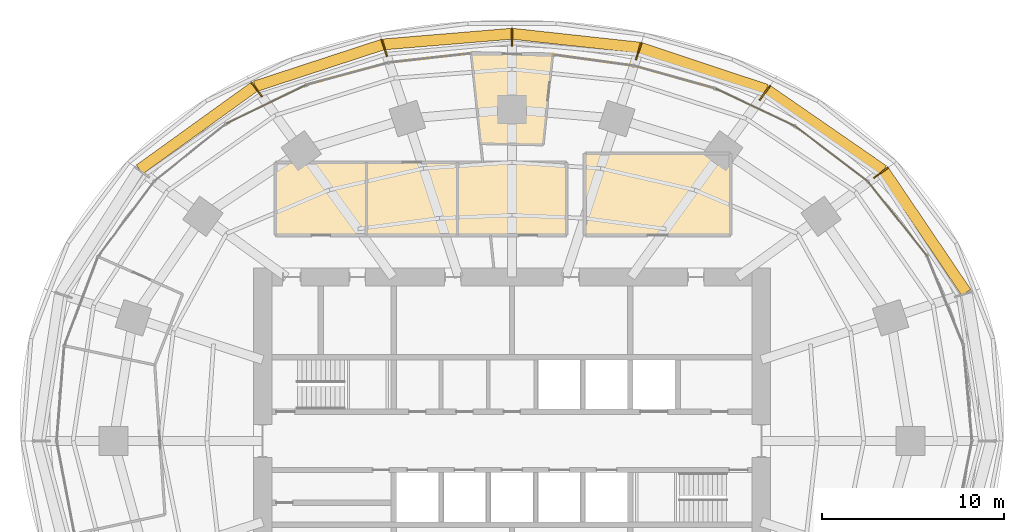
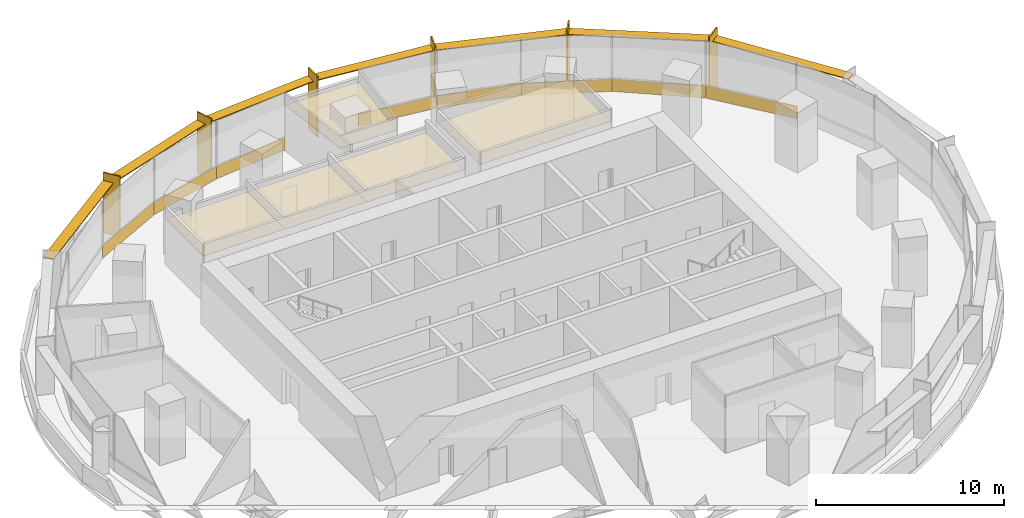
# One storey, part 15 of 15: 13 coverings, 13 shading devices.
"""IFC4 building model written with IfcOpenShell, lengths in metres."""

from ifc_helpers import new_model, si_unit, direction, frame, origin, origin_2d, place, context, subcontext, project, spatial, polyline, rectangle, outline, extrude, material, layer, layer_set, type_object, element, save


model = new_model("IFC4")

# Units and contexts
model_context = context("Model", 3, precision=1e-05, world=origin(), true_north=direction((0.0, 1.0)))
body_context = subcontext(model_context, "Body", "Model", "MODEL_VIEW")
ifc_project = project(units=[si_unit("LENGTHUNIT", "METRE"), si_unit("AREAUNIT", "SQUARE_METRE"), si_unit("VOLUMEUNIT", "CUBIC_METRE"), si_unit("PLANEANGLEUNIT", "RADIAN"), si_unit("MASSUNIT", "GRAM", prefix="KILO")], contexts=[model_context])

# Site, building, storey
site_placement = place(None, origin())
site = spatial("IfcSite", under=ifc_project, at=site_placement, CompositionType="ELEMENT")
building_placement = place(site_placement, origin())
building = spatial("IfcBuilding", under=site, at=building_placement, Name="Marramba Exchange Tower", CompositionType="ELEMENT")
storey_placement = place(building_placement, frame((0.0, 0.0, 92.39990234375)))
storey = spatial("IfcBuildingStorey", under=building, at=storey_placement, Name="L21", CompositionType="ELEMENT", Elevation=92.39990234375)

# Shading devices
ifc_material_1 = material(Name="Aluminium blade, timber-look bronze finish", Category="wood")
ifc_layer_1 = layer(ifc_material_1, 0.080078125)
ifc_layer_set_1 = layer_set([ifc_layer_1], Name="Floor-edge blade 1000x80")
shading_device_type_1 = type_object("IfcShadingDeviceType", Name="Floor-edge blade 1000x80", PredefinedType="USERDEFINED", material=ifc_layer_set_1)
for number, where, z_axis, x_axis, name in (
    (1, (20.27392578125, 14.72998046875, -0.199951171875), (0.0, 0.0, 1.0), (0.809016994375, 0.587785252292, 0.0), "Floor-edge blade FB1 L21 TC03"),
    (2, (13.8955078125, 19.12548828125, -0.199951171875), (0.0, 0.0, 1.0), (0.587785252292, 0.809016994375, 0.0), "Floor-edge blade FB1 L21 TC04"),
    (3, (6.958984375, 21.41748046875, -0.199951171875), (0.0, 0.0, 1.0), (0.309016994375, 0.951056516295, 0.0), "Floor-edge blade FB1 L21 TC05"),
    (4, (0.0, 22.173095703125, -0.199951171875), (0.0, 0.0, 1.0), (0.0, 1.0, 0.0), "Floor-edge blade FB1 L21 TC06"),
    (5, (-7.016845703125, 21.595703125, -0.199951171875), (0.0, 0.0, 1.0), (-0.309016994375, 0.951056516295, 0.0), "Floor-edge blade FB1 L21 TC07"),
    (6, (-14.029296875, 19.3095703125, -0.199951171875), (0.0, 0.0, 1.0), (-0.587785252292, 0.809016994375, 0.0), "Floor-edge blade FB1 L21 TC08"),
):
    element("IfcShadingDevice", number, at=place(storey_placement, frame(where, z_axis=z_axis, x_axis=x_axis)), inside=storey, type_object=shading_device_type_1, Name=name, ObjectType="FIN", PredefinedType="USERDEFINED", context=body_context, shape_type="SweptSolid", body=[
        extrude(rectangle(XDim=1.0, YDim=0.080078125, at=origin_2d()), origin(), (0.0, 0.0, 1.0), 3.93994140625),
    ])
ifc_material_2 = material(Name="Aluminium sunshade, bronze anodised", Category="aluminium")
ifc_layer_2 = layer(ifc_material_2, 0.06005859375)
ifc_layer_set_2 = layer_set([ifc_layer_2], Name="SUNSHADE blade 600x60")
shading_device_type_2 = type_object("IfcShadingDeviceType", Name="SUNSHADE blade 600x60", PredefinedType="USERDEFINED", material=ifc_layer_set_2)
shading_device_1_placement = place(storey_placement, frame((22.712158203125, 11.4833984375, 3.16015625), z_axis=(0.0, 0.0, 1.0), x_axis=(-0.560441804861, 0.828193807852, 0.0)))
element("IfcShadingDevice", 7, at=shading_device_1_placement, inside=storey, type_object=shading_device_type_2, Name="Sunshade SS1 L21 bay 02", ObjectType="SUNSHADE", PredefinedType="USERDEFINED", context=body_context, shape_type="SweptSolid", body=[
    extrude(rectangle(XDim=8.0439453125, YDim=0.60009765625, at=origin_2d()), origin(), (0.0, 0.0, 1.0), 0.06005859375),
])
shading_device_2_placement = place(storey_placement, frame((17.224365234375, 17.0673828125, 3.16015625), z_axis=(0.0, 0.0, 1.0), x_axis=(-0.822589509071, 0.568635647464, 0.0)))
element("IfcShadingDevice", 8, at=shading_device_2_placement, inside=storey, type_object=shading_device_type_2, Name="Sunshade SS1 L21 bay 03", ObjectType="SUNSHADE", PredefinedType="USERDEFINED", context=body_context, shape_type="SweptSolid", body=[
    extrude(rectangle(XDim=7.72802734375, YDim=0.60009765625, at=origin_2d()), origin(), (0.0, 0.0, 1.0), 0.06005859375),
])
shading_device_3_placement = place(storey_placement, frame((10.516845703125, 20.447509765625, 3.16015625), z_axis=(0.0, 0.0, 1.0), x_axis=(-0.949101076178, 0.314971660944, 0.0)))
element("IfcShadingDevice", 9, at=shading_device_3_placement, inside=storey, type_object=shading_device_type_2, Name="Sunshade SS1 L21 bay 04", ObjectType="SUNSHADE", PredefinedType="USERDEFINED", context=body_context, shape_type="SweptSolid", body=[
    extrude(rectangle(XDim=7.287353515625, YDim=0.60009765625, at=origin_2d()), origin(), (0.0, 0.0, 1.0), 0.06005859375),
])
shading_device_4_placement = place(storey_placement, frame((3.510498046875, 21.990478515625, 3.16015625), z_axis=(0.0, 0.0, 1.0), x_axis=(-0.994111392801, 0.108362995081, 0.0)))
element("IfcShadingDevice", 10, at=shading_device_4_placement, inside=storey, type_object=shading_device_type_2, Name="Sunshade SS1 L21 bay 05", ObjectType="SUNSHADE", PredefinedType="USERDEFINED", context=body_context, shape_type="SweptSolid", body=[
    extrude(rectangle(XDim=6.982421875, YDim=0.60009765625, at=origin_2d()), origin(), (0.0, 0.0, 1.0), 0.06005859375),
])
shading_device_5_placement = place(storey_placement, frame((-3.539306640625, 22.07958984375, 3.16015625), z_axis=(0.0, 0.0, 1.0), x_axis=(-0.996577838412, -0.08265961521, 0.0)))
element("IfcShadingDevice", 11, at=shading_device_5_placement, inside=storey, type_object=shading_device_type_2, Name="Sunshade SS1 L21 bay 06", ObjectType="SUNSHADE", PredefinedType="USERDEFINED", context=body_context, shape_type="SweptSolid", body=[
    extrude(rectangle(XDim=7.02294921875, YDim=0.60009765625, at=origin_2d()), origin(), (0.0, 0.0, 1.0), 0.06005859375),
])
shading_device_6_placement = place(storey_placement, frame((-10.61279296875, 20.628662109375, 3.16015625), z_axis=(0.0, 0.0, 1.0), x_axis=(-0.950345637432, -0.311196351865, 0.0)))
element("IfcShadingDevice", 12, at=shading_device_6_placement, inside=storey, type_object=shading_device_type_2, Name="Sunshade SS1 L21 bay 07", ObjectType="SUNSHADE", PredefinedType="USERDEFINED", context=body_context, shape_type="SweptSolid", body=[
    extrude(rectangle(XDim=7.357421875, YDim=0.60009765625, at=origin_2d()), origin(), (0.0, 0.0, 1.0), 0.06005859375),
])
shading_device_7_placement = place(storey_placement, frame((-17.322509765625, 17.18212890625, 3.16015625), z_axis=(0.0, 0.0, 1.0), x_axis=(-0.811199164202, -0.584769968448, 0.0)))
element("IfcShadingDevice", 13, at=shading_device_7_placement, inside=storey, type_object=shading_device_type_2, Name="Sunshade SS1 L21 bay 08", ObjectType="SUNSHADE", PredefinedType="USERDEFINED", context=body_context, shape_type="SweptSolid", body=[
    extrude(rectangle(XDim=7.749755859375, YDim=0.60009765625, at=origin_2d()), origin(), (0.0, 0.0, 1.0), 0.06005859375),
])

# Coverings
ifc_material_3 = material(Name="Aluminium spandrel panel, bronze anodised, insulated", Category="aluminium")
ifc_layer_3 = layer(ifc_material_3, 0.050048828125)
ifc_layer_set_3 = layer_set([ifc_layer_3], Name="Spandrel panel 800")
covering_type_1 = type_object("IfcCoveringType", Name="Spandrel panel 800", PredefinedType="CLADDING", material=ifc_layer_set_3)
covering_1_placement = place(storey_placement, frame((21.20068359375, 12.194091796875, 0.0), z_axis=(0.0, 0.0, 1.0), x_axis=(-0.621311998758, 0.783563271344, 0.0)))
element("IfcCovering", 14, at=covering_1_placement, inside=storey, type_object=covering_type_1, Name="Spandrel panel SP1 L21 F03", PredefinedType="CLADDING", context=body_context, shape_type="SweptSolid", body=[
    extrude(rectangle(XDim=5.197021484375, YDim=0.050048828125, at=origin_2d()), origin(), (0.0, 0.0, 1.0), 0.800048828125),
])
covering_2_placement = place(storey_placement, frame((17.576171875, 15.759033203125, 0.0), z_axis=(0.0, 0.0, 1.0), x_axis=(-0.795971745176, 0.605333776426, 0.0)))
element("IfcCovering", 15, at=covering_2_placement, inside=storey, type_object=covering_type_1, Name="Spandrel panel SP1 L21 F04", PredefinedType="CLADDING", context=body_context, shape_type="SweptSolid", body=[
    extrude(rectangle(XDim=5.05078125, YDim=0.050048828125, at=origin_2d()), origin(), (0.0, 0.0, 1.0), 0.800048828125),
])
covering_3_placement = place(storey_placement, frame((13.371337890625, 18.322998046875, 0.0), z_axis=(0.0, 0.0, 1.0), x_axis=(-0.904403135206, 0.426678999987, 0.0)))
element("IfcCovering", 16, at=covering_3_placement, inside=storey, type_object=covering_type_1, Name="Spandrel panel SP1 L21 F05", PredefinedType="CLADDING", context=body_context, shape_type="SweptSolid", body=[
    extrude(rectangle(XDim=4.853271484375, YDim=0.050048828125, at=origin_2d()), origin(), (0.0, 0.0, 1.0), 0.800048828125),
])
covering_4_placement = place(storey_placement, frame((8.9365234375, 19.98388671875, 0.0), z_axis=(0.0, 0.0, 1.0), x_axis=(-0.963177847397, 0.268865085655, 0.0)))
element("IfcCovering", 17, at=covering_4_placement, inside=storey, type_object=covering_type_1, Name="Spandrel panel SP1 L21 F06", PredefinedType="CLADDING", context=body_context, shape_type="SweptSolid", body=[
    extrude(rectangle(XDim=4.651611328125, YDim=0.050048828125, at=origin_2d()), origin(), (0.0, 0.0, 1.0), 0.800048828125),
])
covering_5_placement = place(storey_placement, frame((4.46337890625, 20.915283203125, 0.0), z_axis=(0.0, 0.0, 1.0), x_axis=(-0.990738214019, 0.135785828725, 0.0)))
element("IfcCovering", 18, at=covering_5_placement, inside=storey, type_object=covering_type_1, Name="Spandrel panel SP1 L21 F07", PredefinedType="CLADDING", context=body_context, shape_type="SweptSolid", body=[
    extrude(rectangle(XDim=4.507568359375, YDim=0.050048828125, at=origin_2d()), origin(), (0.0, 0.0, 1.0), 0.800048828125),
])
covering_6_placement = place(storey_placement, frame((-4.49609375, 21.03955078125, 0.0), z_axis=(0.0, 0.0, 1.0), x_axis=(-0.993823395975, -0.110973229261, 0.0)))
element("IfcCovering", 19, at=covering_6_placement, inside=storey, type_object=covering_type_1, Name="Spandrel panel SP1 L21 F09", PredefinedType="CLADDING", context=body_context, shape_type="SweptSolid", body=[
    extrude(rectangle(XDim=4.54443359375, YDim=0.050048828125, at=origin_2d()), origin(), (0.0, 0.0, 1.0), 0.800048828125),
])
covering_7_placement = place(storey_placement, frame((-9.0244140625, 20.17529296875, 0.0), z_axis=(0.0, 0.0, 1.0), x_axis=(-0.965522049344, -0.26032128655, 0.0)))
element("IfcCovering", 20, at=covering_7_placement, inside=storey, type_object=covering_type_1, Name="Spandrel panel SP1 L21 F10", PredefinedType="CLADDING", context=body_context, shape_type="SweptSolid", body=[
    extrude(rectangle(XDim=4.70263671875, YDim=0.050048828125, at=origin_2d()), origin(), (0.0, 0.0, 1.0), 0.800048828125),
])
covering_8_placement = place(storey_placement, frame((-13.49609375, 18.498291015625, 0.0), z_axis=(0.0, 0.0, 1.0), x_axis=(-0.900223736484, -0.435427633794, 0.0)))
element("IfcCovering", 21, at=covering_8_placement, inside=storey, type_object=covering_type_1, Name="Spandrel panel SP1 L21 F11", PredefinedType="CLADDING", context=body_context, shape_type="SweptSolid", body=[
    extrude(rectangle(XDim=4.890625, YDim=0.050048828125, at=origin_2d()), origin(), (0.0, 0.0, 1.0), 0.800048828125),
])
ifc_material_4 = material(Name="Mineral fibre ceiling tiles", Category="gypsum")
ifc_layer_4 = layer(ifc_material_4, 0.02001953125)
ifc_layer_set_4 = layer_set([ifc_layer_4], Name="Suspended ceiling 20")
covering_type_2 = type_object("IfcCoveringType", Name="Suspended ceiling 20", PredefinedType="CEILING", material=ifc_layer_set_4)
covering_9_placement = place(storey_placement, frame((0.0, 0.0, 2.900146484375)))
element("IfcCovering", 22, at=covering_9_placement, inside=storey, type_object=covering_type_2, Name="Ceiling CL1 L21 Roof Maintenance Store", PredefinedType="CEILING", context=body_context, shape_type="SweptSolid", body=[
    extrude(outline(polyline([(-1.11328125, 21.244384765625), (0.0, 21.2431640625), (1.03125, 21.211181640625), (1.111572265625, 21.208740234375), (1.189697265625, 21.2041015625), (2.22216796875, 21.1416015625), (1.7099609375, 16.2685546875), (-1.71728515625, 16.3388671875), (-2.2294921875, 21.212158203125), (-1.11328125, 21.244384765625)])), origin(), (0.0, 0.0, 1.0), 0.02001953125),
])
covering_10_placement = place(storey_placement, frame((0.0, 0.0, 2.900146484375)))
element("IfcCovering", 23, at=covering_10_placement, inside=storey, type_object=covering_type_2, Name="Ceiling CL1 L21 Interview Room 1", PredefinedType="CEILING", context=body_context, shape_type="SweptSolid", body=[
    extrude(outline(polyline([(-8.0, 11.300048828125), (-13.0, 11.300048828125), (-13.0, 15.300048828125), (-8.0, 15.300048828125), (-8.0, 11.300048828125)])), origin(), (0.0, 0.0, 1.0), 0.02001953125),
])
covering_11_placement = place(storey_placement, frame((0.0, 0.0, 2.900146484375)))
element("IfcCovering", 24, at=covering_11_placement, inside=storey, type_object=covering_type_2, Name="Ceiling CL1 L21 Interview Room 2", PredefinedType="CEILING", context=body_context, shape_type="SweptSolid", body=[
    extrude(outline(polyline([(-3.0, 11.300048828125), (-8.0, 11.300048828125), (-8.0, 15.300048828125), (-3.0, 15.300048828125), (-3.0, 11.300048828125)])), origin(), (0.0, 0.0, 1.0), 0.02001953125),
])
covering_12_placement = place(storey_placement, frame((0.0, 0.0, 2.900146484375)))
element("IfcCovering", 25, at=covering_12_placement, inside=storey, type_object=covering_type_2, Name="Ceiling CL1 L21 Interview Room 3", PredefinedType="CEILING", context=body_context, shape_type="SweptSolid", body=[
    extrude(outline(polyline([(3.0, 15.300048828125), (3.0, 11.300048828125), (-3.0, 11.300048828125), (-3.0, 15.300048828125), (3.0, 15.300048828125)])), origin(), (0.0, 0.0, 1.0), 0.02001953125),
])
covering_13_placement = place(storey_placement, frame((0.0, 0.0, 2.900146484375)))
element("IfcCovering", 26, at=covering_13_placement, inside=storey, type_object=covering_type_2, Name="Ceiling CL1 L21 Meeting Room 1", PredefinedType="CEILING", context=body_context, shape_type="SweptSolid", body=[
    extrude(outline(polyline([(12.0, 11.300048828125), (4.0, 11.300048828125), (4.0, 15.800048828125), (12.0, 15.800048828125), (12.0, 11.300048828125)])), origin(), (0.0, 0.0, 1.0), 0.02001953125),
])

save(model, "model.ifc")
